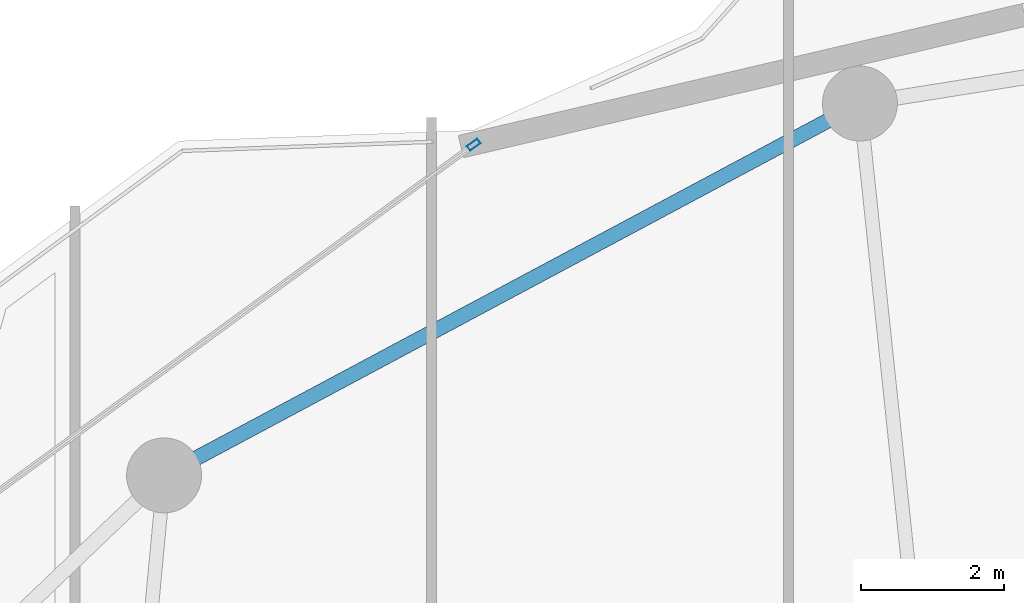
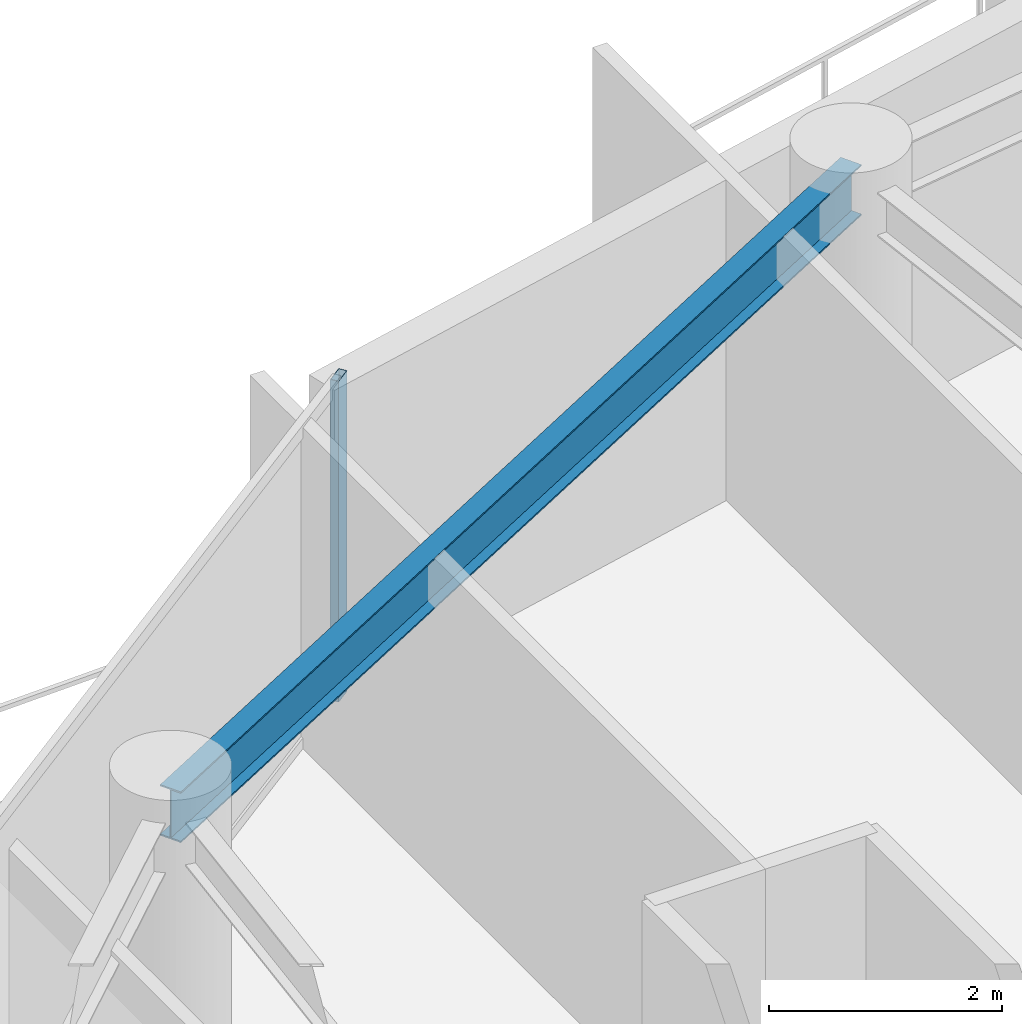
# One storey, part 18 of 31: 1 beam, 1 member, 1 element without a shape of its own.
"""IFC4 building model written with IfcOpenShell, lengths in metres."""

from ifc_helpers import new_model, si_unit, direction, frame, origin, origin_2d, place, context, subcontext, project, spatial, hollow_rectangle, i_section, extrude, material, layer, layer_set, material_profile, profile_set, type_object, element, aggregate, save


model = new_model("IFC4")

# Units and contexts
model_context = context("Model", 3, precision=1e-05, world=origin(), true_north=direction((0.0, 1.0)))
body_context = subcontext(model_context, "Body", "Model", "MODEL_VIEW")
ifc_project = project(units=[si_unit("LENGTHUNIT", "METRE"), si_unit("AREAUNIT", "SQUARE_METRE"), si_unit("VOLUMEUNIT", "CUBIC_METRE"), si_unit("PLANEANGLEUNIT", "RADIAN"), si_unit("MASSUNIT", "GRAM", prefix="KILO")], contexts=[model_context])

# Site, building, storey
site_placement = place(None, origin())
site = spatial("IfcSite", under=ifc_project, at=site_placement, CompositionType="ELEMENT")
building_placement = place(site_placement, origin())
building = spatial("IfcBuilding", under=site, at=building_placement, Name="Kazevale Care Tower and Concert Hall", CompositionType="ELEMENT")
storey_placement = place(building_placement, frame((0.0, 0.0, 238.800048828125)))
storey = spatial("IfcBuildingStorey", under=building, at=storey_placement, Name="L63", CompositionType="ELEMENT", Elevation=238.800048828125)

# Curtain wall, member
ifc_material_1 = material(Name="Aluminium 6063-T6 and Low-E Glass", Category="aluminium")
ifc_layer = layer(ifc_material_1, 0.179931640625)
ifc_layer_set = layer_set([ifc_layer], Name="Aluminium 6063-T6 and Low-E Glass")
curtain_wall_type = type_object("IfcCurtainWallType", Name="Waist & Upper Residential Curtain Wall CW-4", PredefinedType="NOTDEFINED", material=ifc_layer_set)
curtain_wall_placement = place(storey_placement, origin())
curtain_wall = element("IfcCurtainWall", 1, at=curtain_wall_placement, inside=storey, type_object=curtain_wall_type, Name="cw:L63:f14", PredefinedType="NOTDEFINED")
ifc_material_2 = material(Name="Aluminium 6063-T6", Category="aluminium")
ifc_material_profile_1 = material_profile(ifc_material_2, hollow_rectangle(XDim=0.080078125, YDim=0.179931640625, WallThickness=0.0048828125, at=origin_2d()), Name="ALU80x180x5")
ifc_profile_set_1 = profile_set([ifc_material_profile_1], Name="Aluminium 6063-T6")
member_type = type_object("IfcMemberType", Name="CW-4 Mullion ALU80x180x5", PredefinedType="MULLION", material=ifc_profile_set_1)
member_placement = place(storey_placement, frame((28.090576171875, 59.6435546875, 0.0), z_axis=(0.0, 0.0, 1.0), x_axis=(-0.588910374145, 0.808198348937, 0.0)))
member = element("IfcMember", 2, at=member_placement, type_object=member_type, Name="CW-4 mullion 2", PredefinedType="MULLION", context=body_context, shape_type="SweptSolid", body=[
    extrude(hollow_rectangle(XDim=0.080078125, YDim=0.179931640625, WallThickness=0.0048828125, at=origin_2d()), origin(), (0.0, 0.0, 1.0), 3.35986328125),
])
aggregate(curtain_wall, [member])

# Beam
ifc_material_3 = material(Name="Steel ASTM A572 Gr 50", Category="steel")
ifc_material_profile_2 = material_profile(ifc_material_3, i_section(OverallWidth=0.208984375, OverallDepth=0.532958984375, WebThickness=0.01025390625, FlangeThickness=0.015625, at=origin_2d()), Name="W530x92")
ifc_profile_set_2 = profile_set([ifc_material_profile_2], Name="Steel ASTM A572 Gr 50")
beam_type = type_object("IfcBeamType", Name="Upper Ring Beam W530x92", PredefinedType="BEAM", material=ifc_profile_set_2)
beam_placement = place(storey_placement, frame((33.5, 60.219970703125, 3.093505859375), z_axis=(-0.881978519833, -0.471289603697, 0.0), x_axis=(0.471289603697, -0.881978519833, 0.0)))
element("IfcBeam", 3, at=beam_placement, inside=storey, type_object=beam_type, Name="beam:L63:ring:06", PredefinedType="BEAM", context=body_context, shape_type="SweptSolid", body=[
    extrude(i_section(OverallWidth=0.208984375, OverallDepth=0.532958984375, WebThickness=0.01025390625, FlangeThickness=0.015625, at=origin_2d()), origin(), (0.0, 0.0, 1.0), 11.0546875),
])

save(model, "model.ifc")
